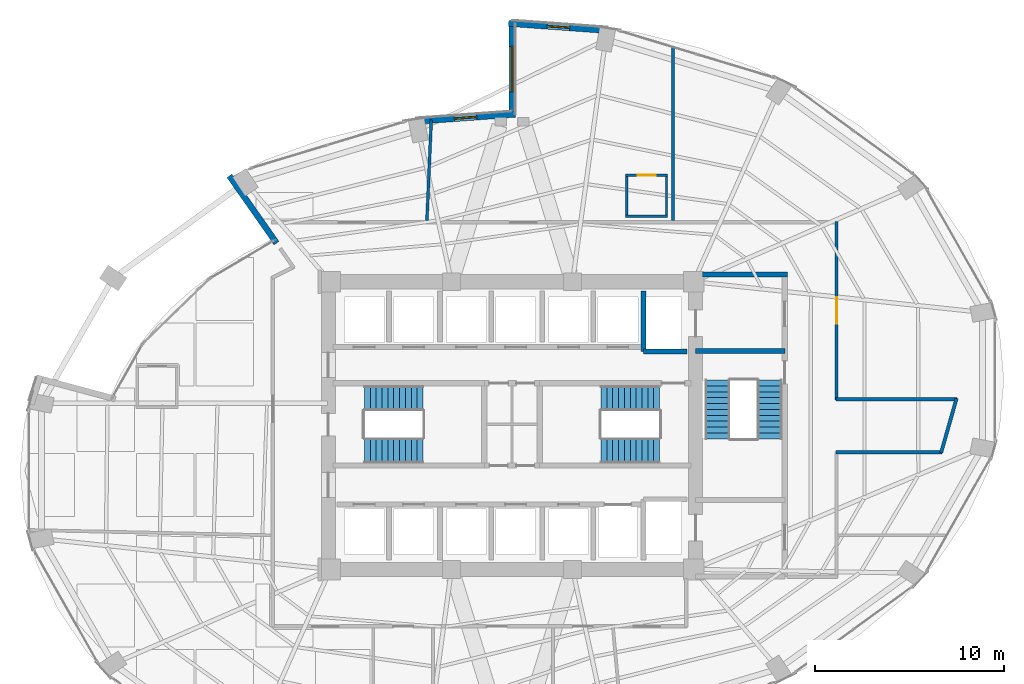
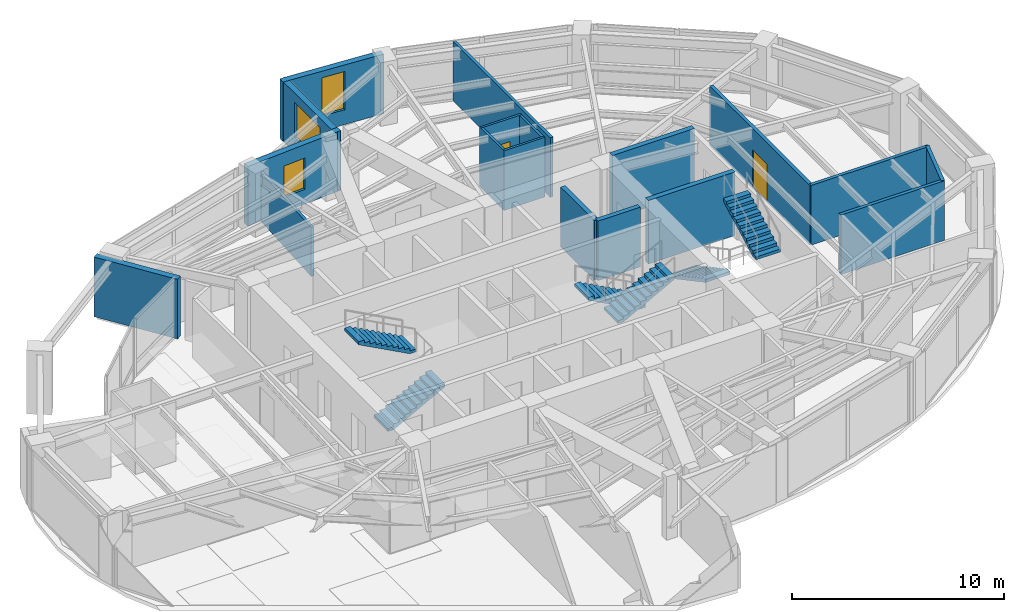
# One storey, part 22 of 24: 18 walls, 6 stair flights, 3 windows, 2 doors, 5 openings, 3 elements without a shape of their own.
"""IFC4 building model written with IfcOpenShell, lengths in metres."""

from ifc_helpers import new_model, si_unit, direction, frame, frame_2d, origin, place, context, subcontext, project, spatial, polyline, rectangle, outline, extrude, material, layer, layer_set, type_object, element, fill, aggregate, save


model = new_model("IFC4")

# Units and contexts
model_context = context("Model", 3, precision=1e-05, world=origin(), true_north=direction((0.0, 1.0)))
body_context = subcontext(model_context, "Body", "Model", "MODEL_VIEW")
ifc_project = project(units=[si_unit("LENGTHUNIT", "METRE"), si_unit("AREAUNIT", "SQUARE_METRE"), si_unit("VOLUMEUNIT", "CUBIC_METRE"), si_unit("PLANEANGLEUNIT", "RADIAN"), si_unit("MASSUNIT", "GRAM", prefix="KILO")], contexts=[model_context])

# Site, building, storey
site_placement = place(None, origin())
site = spatial("IfcSite", under=ifc_project, at=site_placement, CompositionType="ELEMENT")
building_placement = place(site_placement, origin())
building = spatial("IfcBuilding", under=site, at=building_placement, Name="Lazwardi Medical Tower", CompositionType="ELEMENT")
storey_placement = place(building_placement, frame((0.0, 0.0, 114.575927734375)))
storey = spatial("IfcBuildingStorey", under=building, at=storey_placement, Name="L29", CompositionType="ELEMENT", Elevation=114.575927734375)

# Wall, opening, door
ifc_material_1 = material(Name="Fire-rated gypsum board on steel stud", Category="steel")
ifc_layer_1 = layer(ifc_material_1, 0.179931640625)
ifc_layer_set_1 = layer_set([ifc_layer_1], Name="Fire-rated gypsum board on steel stud")
wall_type_1 = type_object("IfcWallType", Name="WL-COR-180", PredefinedType="PARTITIONING", material=ifc_layer_set_1)
wall_1_placement = place(storey_placement, frame((53.14990234375, 38.7900390625, 0.0), z_axis=(0.0, 0.0, 1.0), x_axis=(0.0, -1.0, 0.0)))
wall_1 = element("IfcWall", 1, at=wall_1_placement, inside=storey, type_object=wall_type_1, Name="L29 Corridor partition 5", PredefinedType="PARTITIONING", context=body_context, shape_type="SweptSolid", body=[
    extrude(rectangle(XDim=9.429931640625, YDim=0.179931640625, at=frame_2d((4.71484375, 0.0))), origin(), (0.0, 0.0, 1.0), 3.427978515625),
])
opening_1_placement = place(wall_1_placement, frame((4.014892578125, 0.0, 0.0)))
opening_1 = element("IfcOpeningElement", 2, at=opening_1_placement, cuts=wall_1, Name="Opening D-L29-016", PredefinedType="OPENING", context=body_context, shape_type="SweptSolid", body=[
    extrude(rectangle(XDim=1.39990234375, YDim=2.199951171875, at=frame_2d((0.699951171875, 1.10009765625))), frame((0.0, 0.099853515625, 0.0), z_axis=(0.0, -1.0, 0.0), x_axis=(1.0, 0.0, 0.0)), (0.0, 0.0, 1.0), 0.199951171875),
])
ifc_material_2 = material(Name="Anti-microbial laminate hospital leaf")
door_type_1 = type_object("IfcDoorType", Name="DR-BED-1400", OperationType="NOTDEFINED", PredefinedType="DOOR", material=ifc_material_2)
door_1_placement = place(opening_1_placement, origin())
door_1 = element("IfcDoor", 3, at=door_1_placement, inside=storey, type_object=door_type_1, Name="L29 Inpatient Ward Door 06", OperationType="SINGLE_SWING_LEFT", OverallHeight=2.199951171875, OverallWidth=1.39990234375, PredefinedType="DOOR", context=body_context, shape_type="SweptSolid", body=[
    extrude(rectangle(XDim=1.39990234375, YDim=2.199951171875, at=frame_2d((0.699951171875, 1.10009765625))), frame((0.0, 0.02490234375, 0.0), z_axis=(0.0, -1.0, 0.0), x_axis=(1.0, 0.0, 0.0)), (0.0, 0.0, 1.0), 0.050048828125),
])
fill(opening_1, door_1)

# Walls
wall_2_placement = place(storey_placement, frame((53.110107421875, 29.39990234375, 0.0), z_axis=(0.0, 0.0, 1.0), x_axis=(1.0, 0.0, 0.0)))
element("IfcWall", 4, at=wall_2_placement, inside=storey, type_object=wall_type_1, Name="L29 Corridor partition 6", PredefinedType="PARTITIONING", context=body_context, shape_type="SweptSolid", body=[
    extrude(rectangle(XDim=6.41259765625, YDim=0.179931640625, at=frame_2d((3.206298828125, 0.0))), origin(), (0.0, 0.0, 1.0), 3.427978515625),
])
wall_3_placement = place(storey_placement, frame((59.49365234375, 29.4384765625, 0.0), z_axis=(0.0, 0.0, 1.0), x_axis=(-0.273222154729, -0.961950962453, 0.0)))
element("IfcWall", 5, at=wall_3_placement, inside=storey, type_object=wall_type_1, Name="L29 Corridor partition 7", PredefinedType="PARTITIONING", context=body_context, shape_type="SweptSolid", body=[
    extrude(rectangle(XDim=2.99072265625, YDim=0.179931640625, at=frame_2d((1.495361328125, 0.0))), origin(), (0.0, 0.0, 1.0), 3.427978515625),
])
wall_4_placement = place(storey_placement, frame((58.727294921875, 26.60009765625, 0.0), z_axis=(0.0, 0.0, 1.0), x_axis=(-1.0, 0.0, 0.0)))
element("IfcWall", 6, at=wall_4_placement, inside=storey, type_object=wall_type_1, Name="L29 Corridor partition 8", PredefinedType="PARTITIONING", context=body_context, shape_type="SweptSolid", body=[
    extrude(rectangle(XDim=5.6171875, YDim=0.179931640625, at=frame_2d((2.80859375, 0.0))), origin(), (0.0, 0.0, 1.0), 3.427978515625),
])

# Wall, opening, door
ifc_material_3 = material(Name="Moisture-resistant gypsum board partition")
ifc_layer_2 = layer(ifc_material_3, 0.125)
ifc_layer_set_2 = layer_set([ifc_layer_2], Name="Moisture-resistant gypsum board partition")
wall_type_2 = type_object("IfcWallType", Name="WL-ENS-125", PredefinedType="PARTITIONING", material=ifc_layer_set_2)
wall_5_placement = place(storey_placement, frame((42.0048828125, 41.22509765625, 0.0), z_axis=(0.0, 0.0, 1.0), x_axis=(1.0, 0.0, 0.0)))
wall_5 = element("IfcWall", 7, at=wall_5_placement, inside=storey, type_object=wall_type_2, Name="L29 En-suite wall 7N", PredefinedType="PARTITIONING", context=body_context, shape_type="SweptSolid", body=[
    extrude(rectangle(XDim=2.22021484375, YDim=0.125, at=frame_2d((1.110107421875, 0.0))), origin(), (0.0, 0.0, 1.0), 3.427978515625),
])
opening_2_placement = place(wall_5_placement, frame((0.635009765625, 0.0, 0.0)))
opening_2 = element("IfcOpeningElement", 8, at=opening_2_placement, cuts=wall_5, Name="Opening D-L29-005", PredefinedType="OPENING", context=body_context, shape_type="SweptSolid", body=[
    extrude(rectangle(XDim=0.949951171875, YDim=2.10009765625, at=frame_2d((0.47509765625, 1.050048828125))), frame((0.0, 0.072509765625, 0.0), z_axis=(0.0, -1.0, 0.0), x_axis=(1.0, 0.0, 0.0)), (0.0, 0.0, 1.0), 0.14501953125),
])
ifc_material_4 = material(Name="Moisture-resistant laminate door leaf")
door_type_2 = type_object("IfcDoorType", Name="DR-ENS-950", OperationType="NOTDEFINED", PredefinedType="DOOR", material=ifc_material_4)
door_2_placement = place(opening_2_placement, origin())
door_2 = element("IfcDoor", 9, at=door_2_placement, inside=storey, type_object=door_type_2, Name="L29 En-suite Door 07", OperationType="SINGLE_SWING_RIGHT", OverallHeight=2.10009765625, OverallWidth=0.949951171875, PredefinedType="DOOR", context=body_context, shape_type="SweptSolid", body=[
    extrude(rectangle(XDim=0.949951171875, YDim=2.10009765625, at=frame_2d((0.47509765625, 1.050048828125))), frame((0.0, 0.02490234375, 0.0), z_axis=(0.0, -1.0, 0.0), x_axis=(1.0, 0.0, 0.0)), (0.0, 0.0, 1.0), 0.050048828125),
])
fill(opening_2, door_2)

# Walls
wall_6_placement = place(storey_placement, frame((42.0048828125, 39.06494140625, 0.0), z_axis=(0.0, 0.0, 1.0), x_axis=(1.0, 0.0, 0.0)))
element("IfcWall", 10, at=wall_6_placement, inside=storey, type_object=wall_type_2, Name="L29 En-suite wall 7S", PredefinedType="PARTITIONING", context=body_context, shape_type="SweptSolid", body=[
    extrude(rectangle(XDim=2.22021484375, YDim=0.125, at=frame_2d((1.110107421875, 0.0))), origin(), (0.0, 0.0, 1.0), 3.427978515625),
])
for number, where, z_axis, x_axis, name in (
    (11, (44.1650390625, 39.0048828125, 0.0), (0.0, 0.0, 1.0), (0.0, 1.0, 0.0), "L29 En-suite wall 7E"),
    (12, (42.06494140625, 39.0048828125, 0.0), (0.0, 0.0, 1.0), (0.0, 1.0, 0.0), "L29 En-suite wall 7W"),
):
    element("IfcWall", number, at=place(storey_placement, frame(where, z_axis=z_axis, x_axis=x_axis)), inside=storey, type_object=wall_type_2, Name=name, PredefinedType="PARTITIONING", context=body_context, shape_type="SweptSolid", body=[
        extrude(rectangle(XDim=2.280029296875, YDim=0.125, at=frame_2d((1.14013671875, 0.0))), origin(), (0.0, 0.0, 1.0), 3.427978515625),
    ])

# Wall, opening, window
ifc_material_5 = material(Name="Precast concrete C45/55", Category="concrete")
ifc_layer_3 = layer(ifc_material_5, 0.320068359375)
ifc_layer_set_3 = layer_set([ifc_layer_3], Name="Precast concrete C45/55")
wall_type_3 = type_object("IfcWallType", Name="WL-IWAN-320", PredefinedType="SOLIDWALL", material=ifc_layer_set_3)
wall_7_placement = place(storey_placement, frame((41.091064453125, 48.87451171875, 0.0), z_axis=(0.0, 0.0, 1.0), x_axis=(-0.997432364291, 0.071614793619, 0.0)))
wall_7 = element("IfcWall", 13, at=wall_7_placement, inside=storey, type_object=wall_type_3, Name="L29 Iwan Portal Return Wall NE_ret", PredefinedType="SOLIDWALL", context=body_context, shape_type="SweptSolid", body=[
    extrude(rectangle(XDim=5.2841796875, YDim=0.320068359375, at=frame_2d((2.64208984375, 0.0))), origin(), (0.0, 0.0, 1.0), 3.427978515625),
])
opening_3_placement = place(wall_7_placement, frame((2.0419921875, 0.0, 0.85009765625)))
opening_3 = element("IfcOpeningElement", 14, at=opening_3_placement, cuts=wall_7, Name="Opening WN-01", PredefinedType="OPENING", context=body_context, shape_type="SweptSolid", body=[
    extrude(rectangle(XDim=1.199951171875, YDim=2.199951171875, at=frame_2d((0.60009765625, 1.10009765625))), frame((0.0, 0.169921875, 0.0), z_axis=(0.0, -1.0, 0.0), x_axis=(1.0, 0.0, 0.0)), (0.0, 0.0, 1.0), 0.340087890625),
])
ifc_material_6 = material(Name="Low-e bronze solar control double glazing", Category="glass")
window_type_1 = type_object("IfcWindowType", Name="WIN-IW-1200", PartitioningType="SINGLE_PANEL", PredefinedType="WINDOW", material=ifc_material_6)
window_1_placement = place(opening_3_placement, origin())
window_1 = element("IfcWindow", 15, at=window_1_placement, inside=storey, type_object=window_type_1, Name="L29 Iwan Slot Window NE_ret", OverallHeight=2.199951171875, OverallWidth=1.199951171875, PartitioningType="SINGLE_PANEL", PredefinedType="WINDOW", context=body_context, shape_type="SweptSolid", body=[
    extrude(rectangle(XDim=1.199951171875, YDim=2.199951171875, at=frame_2d((0.60009765625, 1.10009765625))), frame((0.0, 0.030029296875, 0.0), z_axis=(0.0, -1.0, 0.0), x_axis=(1.0, 0.0, 0.0)), (0.0, 0.0, 1.0), 0.06005859375),
])
fill(opening_3, window_1)

wall_8_placement = place(storey_placement, frame((36.178955078125, 44.452880859375, 0.0), z_axis=(0.0, 0.0, 1.0), x_axis=(-0.997431890304, -0.071621394884, 0.0)))
wall_8 = element("IfcWall", 16, at=wall_8_placement, inside=storey, type_object=wall_type_3, Name="L29 Iwan Portal Return Wall NW_ret", PredefinedType="SOLIDWALL", context=body_context, shape_type="SweptSolid", body=[
    extrude(rectangle(XDim=5.28369140625, YDim=0.320068359375, at=frame_2d((2.641845703125, 0.0))), origin(), (0.0, 0.0, 1.0), 3.427978515625),
])
opening_4_placement = place(wall_8_placement, frame((2.041748046875, 0.0, 0.85009765625)))
opening_4 = element("IfcOpeningElement", 17, at=opening_4_placement, cuts=wall_8, Name="Opening WN-04", PredefinedType="OPENING", context=body_context, shape_type="SweptSolid", body=[
    extrude(rectangle(XDim=1.199951171875, YDim=1.800048828125, at=frame_2d((0.60009765625, 0.89990234375))), frame((0.0, 0.169921875, 0.0), z_axis=(0.0, -1.0, 0.0), x_axis=(1.0, 0.0, 0.0)), (0.0, 0.0, 1.0), 0.340087890625),
])
window_type_2 = type_object("IfcWindowType", Name="WIN-DRUM-1200", PartitioningType="SINGLE_PANEL", PredefinedType="WINDOW", material=ifc_material_6)
window_2_placement = place(opening_4_placement, origin())
window_2 = element("IfcWindow", 18, at=window_2_placement, inside=storey, type_object=window_type_2, Name="L29 Iwan Slot Window NW_ret", OverallHeight=1.800048828125, OverallWidth=1.199951171875, PartitioningType="SINGLE_PANEL", PredefinedType="WINDOW", context=body_context, shape_type="SweptSolid", body=[
    extrude(rectangle(XDim=1.199951171875, YDim=1.800048828125, at=frame_2d((0.60009765625, 0.89990234375))), frame((0.0, 0.030029296875, 0.0), z_axis=(0.0, -1.0, 0.0), x_axis=(1.0, 0.0, 0.0)), (0.0, 0.0, 1.0), 0.06005859375),
])
fill(opening_4, window_2)

wall_9_placement = place(storey_placement, frame((36.0, 49.39990234375, 0.0), z_axis=(0.0, 0.0, 1.0), x_axis=(0.0, -1.0, 0.0)))
wall_9 = element("IfcWall", 19, at=wall_9_placement, inside=storey, type_object=wall_type_3, Name="L29 Turquoise Tilework Iwan Seam Wall N_seam", PredefinedType="SOLIDWALL", context=body_context, shape_type="SweptSolid", body=[
    extrude(rectangle(XDim=5.119873046875, YDim=0.320068359375, at=frame_2d((2.56005859375, 0.0))), origin(), (0.0, 0.0, 1.0), 3.427978515625),
])
opening_5_placement = place(wall_9_placement, frame((1.360107421875, 0.0, 0.840087890625)))
opening_5 = element("IfcOpeningElement", 20, at=opening_5_placement, cuts=wall_9, Name="Opening WN-02", PredefinedType="OPENING", context=body_context, shape_type="SweptSolid", body=[
    extrude(rectangle(XDim=2.39990234375, YDim=2.0400390625, at=frame_2d((1.199951171875, 1.02001953125))), frame((0.0, 0.169921875, 0.0), z_axis=(0.0, -1.0, 0.0), x_axis=(1.0, 0.0, 0.0)), (0.0, 0.0, 1.0), 0.340087890625),
])
window_type_3 = type_object("IfcWindowType", Name="WIN-IW-2400", PartitioningType="SINGLE_PANEL", PredefinedType="WINDOW", material=ifc_material_6)
window_3_placement = place(opening_5_placement, origin())
window_3 = element("IfcWindow", 21, at=window_3_placement, inside=storey, type_object=window_type_3, Name="L29 Iwan Seam Window N_seam", OverallHeight=2.0400390625, OverallWidth=2.39990234375, PartitioningType="SINGLE_PANEL", PredefinedType="WINDOW", context=body_context, shape_type="SweptSolid", body=[
    extrude(rectangle(XDim=2.39990234375, YDim=2.0400390625, at=frame_2d((1.199951171875, 1.02001953125))), frame((0.0, 0.030029296875, 0.0), z_axis=(0.0, -1.0, 0.0), x_axis=(1.0, 0.0, 0.0)), (0.0, 0.0, 1.0), 0.06005859375),
])
fill(opening_5, window_3)

# Walls
wall_10_placement = place(storey_placement, frame((21.064208984375, 41.196533203125, 0.0), z_axis=(0.0, 0.0, 1.0), x_axis=(0.573586931721, -0.819144695252, 0.0)))
element("IfcWall", 22, at=wall_10_placement, inside=storey, type_object=wall_type_3, Name="L29 Sky Garden SG2 Flank Wall S0", PredefinedType="SOLIDWALL", context=body_context, shape_type="SweptSolid", body=[
    extrude(rectangle(XDim=4.33984375, YDim=0.320068359375, at=frame_2d((2.169921875, 0.0))), origin(), (0.0, 0.0, 1.0), 3.427978515625),
])
ifc_material_7 = material(Name="Autoclaved aerated concrete blockwork", Category="masonry")
ifc_layer_4 = layer(ifc_material_7, 0.25)
ifc_layer_set_4 = layer_set([ifc_layer_4], Name="Autoclaved aerated concrete blockwork")
wall_type_4 = type_object("IfcWallType", Name="WL-SHAFT-250", PredefinedType="SOLIDWALL", material=ifc_layer_set_4)
wall_11_placement = place(storey_placement, frame((42.949951171875, 31.919921875, 0.0), z_axis=(0.0, 0.0, 1.0), x_axis=(0.0, 1.0, 0.0)))
element("IfcWall", 23, at=wall_11_placement, inside=storey, type_object=wall_type_4, Name="L29 FL-01 West shaft wall", PredefinedType="SOLIDWALL", context=body_context, shape_type="SweptSolid", body=[
    extrude(rectangle(XDim=3.18017578125, YDim=0.25, at=frame_2d((1.590087890625, 0.0))), origin(), (0.0, 0.0, 1.0), 3.427978515625),
])
wall_12_placement = place(storey_placement, frame((42.949951171875, 31.919921875, 0.0), z_axis=(0.0, 0.0, 1.0), x_axis=(1.0, 0.0, 0.0)))
element("IfcWall", 24, at=wall_12_placement, inside=storey, type_object=wall_type_4, Name="L29 FL-01 South shaft wall", PredefinedType="SOLIDWALL", context=body_context, shape_type="SweptSolid", body=[
    extrude(rectangle(XDim=2.300048828125, YDim=0.25, at=frame_2d((1.14990234375, 0.0))), origin(), (0.0, 0.0, 1.0), 3.427978515625),
])
ifc_material_8 = material(Name="Concrete C50/60", Category="concrete")
ifc_layer_5 = layer(ifc_material_8, 0.27001953125)
ifc_layer_set_5 = layer_set([ifc_layer_5], Name="Concrete C50/60")
wall_type_5 = type_object("IfcWallType", Name="WL-STR-250", PredefinedType="SHEAR", material=ifc_layer_set_5)
wall_13_placement = place(storey_placement, frame((46.074951171875, 35.97998046875, 0.0), z_axis=(0.0, 0.0, 1.0), x_axis=(1.0, 0.0, 0.0)))
element("IfcWall", 25, at=wall_13_placement, inside=storey, type_object=wall_type_5, Name="L29 FFL-N North shear wall SW-S1", PredefinedType="SHEAR", context=body_context, shape_type="SweptSolid", body=[
    extrude(rectangle(XDim=4.47509765625, YDim=0.27001953125, at=frame_2d((2.237548828125, 0.0))), origin(), (0.0, 0.0, 1.0), 3.648193359375),
])
wall_14_placement = place(storey_placement, frame((45.699951171875, 31.93505859375, 0.0), z_axis=(0.0, 0.0, 1.0), x_axis=(1.0, 0.0, 0.0)))
element("IfcWall", 26, at=wall_14_placement, inside=storey, type_object=wall_type_5, Name="L29 ST3 North shear shaft wall SW-S1", PredefinedType="SHEAR", context=body_context, shape_type="SweptSolid", body=[
    extrude(rectangle(XDim=4.715087890625, YDim=0.27001953125, at=frame_2d((2.357421875, 0.0))), origin(), (0.0, 0.0, 1.0), 3.648193359375),
])
ifc_material_9 = material(Name="Acoustic gypsum board partition")
ifc_layer_6 = layer(ifc_material_9, 0.14990234375)
ifc_layer_set_6 = layer_set([ifc_layer_6], Name="Acoustic gypsum board partition")
wall_type_6 = type_object("IfcWallType", Name="WL-WRD-150", PredefinedType="PARTITIONING", material=ifc_layer_set_6)
wall_15_placement = place(storey_placement, frame((31.50341796875, 38.83984375, 0.0), z_axis=(0.0, 0.0, 1.0), x_axis=(0.043494903789, 0.999053648882, 0.0)))
element("IfcWall", 27, at=wall_15_placement, inside=storey, type_object=wall_type_6, Name="L29 Room partition 3", PredefinedType="PARTITIONING", context=body_context, shape_type="SweptSolid", body=[
    extrude(rectangle(XDim=5.326904296875, YDim=0.14990234375, at=frame_2d((2.66357421875, 0.0))), origin(), (0.0, 0.0, 1.0), 2.81298828125),
])
wall_16_placement = place(storey_placement, frame((44.5, 38.840087890625, 0.0), z_axis=(0.0, 0.0, 1.0), x_axis=(0.0, 1.0, 0.0)))
element("IfcWall", 28, at=wall_16_placement, inside=storey, type_object=wall_type_6, Name="L29 Room partition 4", PredefinedType="PARTITIONING", context=body_context, shape_type="SweptSolid", body=[
    extrude(rectangle(XDim=9.142578125, YDim=0.14990234375, at=frame_2d((4.5712890625, 0.0))), origin(), (0.0, 0.0, 1.0), 3.427978515625),
])

# Stair, stair flights
ifc_material_10 = material(Name="Concrete C45/55", Category="concrete")
stair_type = type_object("IfcStairType", Name="STR-WRD", PredefinedType="HALF_TURN_STAIR", material=ifc_material_10)
stair_1_placement = place(storey_placement, origin())
stair_1 = element("IfcStair", 29, at=stair_1_placement, inside=storey, type_object=stair_type, Name="L29 Protected Exit Stair ST1", PredefinedType="HALF_TURN_STAIR")
stair_flight_type = type_object("IfcStairFlightType", Name="FLT-WRD", PredefinedType="STRAIGHT", material=ifc_material_10)
stair_flight_1_placement = place(storey_placement, frame((28.199951171875, 26.679931640625, 0.0), z_axis=(0.0, 0.0, 1.0), x_axis=(1.0, 0.0, 0.0)))
stair_flight_1 = element("IfcStairFlight", 30, at=stair_flight_1_placement, type_object=stair_flight_type, Name="ST1 flight 1", NumberOfRisers=11, NumberOfTreads=10, PredefinedType="STRAIGHT", RiserHeight=0.165818182, TreadLength=0.31, context=body_context, shape_type="SweptSolid", body=[
    extrude(outline(polyline([(0.0, 0.0), (0.0, 0.165771484375), (0.31005859375, 0.165771484375), (0.31005859375, 0.33154296875), (0.6201171875, 0.33154296875), (0.6201171875, 0.49755859375), (0.929931640625, 0.49755859375), (0.929931640625, 0.663330078125), (1.239990234375, 0.663330078125), (1.239990234375, 0.8291015625), (1.550048828125, 0.8291015625), (1.550048828125, 0.994873046875), (1.860107421875, 0.994873046875), (1.860107421875, 1.16064453125), (2.169921875, 1.16064453125), (2.169921875, 1.32666015625), (2.47998046875, 1.32666015625), (2.47998046875, 1.492431640625), (2.7900390625, 1.492431640625), (2.7900390625, 1.658203125), (3.10009765625, 1.658203125), (3.10009765625, 1.823974609375), (3.10009765625, 1.48828125), (0.31787109375, 0.0), (0.0, 0.0)])), frame((0.0, 0.66015625, 0.0), z_axis=(0.0, -1.0, 0.0), x_axis=(1.0, 0.0, 0.0)), (0.0, 0.0, 1.0), 1.320068359375),
])
stair_flight_2_placement = place(storey_placement, frame((31.300048828125, 29.43994140625, 1.823974609375), z_axis=(0.0, 0.0, 1.0), x_axis=(-1.0, 0.0, 0.0)))
stair_flight_2 = element("IfcStairFlight", 31, at=stair_flight_2_placement, type_object=stair_flight_type, Name="ST1 flight 2", NumberOfRisers=11, NumberOfTreads=10, PredefinedType="STRAIGHT", RiserHeight=0.165818182, TreadLength=0.31, context=body_context, shape_type="SweptSolid", body=[
    extrude(outline(polyline([(0.0, 0.0), (0.0, 0.165771484375), (0.31005859375, 0.165771484375), (0.31005859375, 0.33154296875), (0.6201171875, 0.33154296875), (0.6201171875, 0.49755859375), (0.929931640625, 0.49755859375), (0.929931640625, 0.663330078125), (1.239990234375, 0.663330078125), (1.239990234375, 0.8291015625), (1.550048828125, 0.8291015625), (1.550048828125, 0.994873046875), (1.860107421875, 0.994873046875), (1.860107421875, 1.16064453125), (2.169921875, 1.16064453125), (2.169921875, 1.32666015625), (2.47998046875, 1.32666015625), (2.47998046875, 1.492431640625), (2.7900390625, 1.492431640625), (2.7900390625, 1.658203125), (3.10009765625, 1.658203125), (3.10009765625, 1.823974609375), (3.10009765625, 1.48828125), (0.31787109375, 0.0), (0.0, 0.0)])), frame((0.0, 0.66015625, 0.0), z_axis=(0.0, -1.0, 0.0), x_axis=(1.0, 0.0, 0.0)), (0.0, 0.0, 1.0), 1.320068359375),
])
aggregate(stair_1, [stair_flight_1, stair_flight_2])

stair_2_placement = place(storey_placement, origin())
stair_2 = element("IfcStair", 32, at=stair_2_placement, inside=storey, type_object=stair_type, Name="L29 Protected Exit Stair ST2", PredefinedType="HALF_TURN_STAIR")
stair_flight_3_placement = place(storey_placement, frame((43.800048828125, 29.43994140625, 0.0), z_axis=(0.0, 0.0, 1.0), x_axis=(-1.0, 0.0, 0.0)))
stair_flight_3 = element("IfcStairFlight", 33, at=stair_flight_3_placement, type_object=stair_flight_type, Name="ST2 flight 1", NumberOfRisers=11, NumberOfTreads=10, PredefinedType="STRAIGHT", RiserHeight=0.165818182, TreadLength=0.31, context=body_context, shape_type="SweptSolid", body=[
    extrude(outline(polyline([(0.0, 0.0), (0.0, 0.165771484375), (0.31005859375, 0.165771484375), (0.31005859375, 0.33154296875), (0.6201171875, 0.33154296875), (0.6201171875, 0.49755859375), (0.929931640625, 0.49755859375), (0.929931640625, 0.663330078125), (1.239990234375, 0.663330078125), (1.239990234375, 0.8291015625), (1.550048828125, 0.8291015625), (1.550048828125, 0.994873046875), (1.860107421875, 0.994873046875), (1.860107421875, 1.16064453125), (2.169921875, 1.16064453125), (2.169921875, 1.32666015625), (2.47998046875, 1.32666015625), (2.47998046875, 1.492431640625), (2.7900390625, 1.492431640625), (2.7900390625, 1.658203125), (3.10009765625, 1.658203125), (3.10009765625, 1.823974609375), (3.10009765625, 1.48828125), (0.31787109375, 0.0), (0.0, 0.0)])), frame((0.0, 0.66015625, 0.0), z_axis=(0.0, -1.0, 0.0), x_axis=(1.0, 0.0, 0.0)), (0.0, 0.0, 1.0), 1.320068359375),
])
stair_flight_4_placement = place(storey_placement, frame((40.699951171875, 26.679931640625, 1.823974609375), z_axis=(0.0, 0.0, 1.0), x_axis=(1.0, 0.0, 0.0)))
stair_flight_4 = element("IfcStairFlight", 34, at=stair_flight_4_placement, type_object=stair_flight_type, Name="ST2 flight 2", NumberOfRisers=11, NumberOfTreads=10, PredefinedType="STRAIGHT", RiserHeight=0.165818182, TreadLength=0.31, context=body_context, shape_type="SweptSolid", body=[
    extrude(outline(polyline([(0.0, 0.0), (0.0, 0.165771484375), (0.31005859375, 0.165771484375), (0.31005859375, 0.33154296875), (0.6201171875, 0.33154296875), (0.6201171875, 0.49755859375), (0.929931640625, 0.49755859375), (0.929931640625, 0.663330078125), (1.239990234375, 0.663330078125), (1.239990234375, 0.8291015625), (1.550048828125, 0.8291015625), (1.550048828125, 0.994873046875), (1.860107421875, 0.994873046875), (1.860107421875, 1.16064453125), (2.169921875, 1.16064453125), (2.169921875, 1.32666015625), (2.47998046875, 1.32666015625), (2.47998046875, 1.492431640625), (2.7900390625, 1.492431640625), (2.7900390625, 1.658203125), (3.10009765625, 1.658203125), (3.10009765625, 1.823974609375), (3.10009765625, 1.48828125), (0.31787109375, 0.0), (0.0, 0.0)])), frame((0.0, 0.66015625, 0.0), z_axis=(0.0, -1.0, 0.0), x_axis=(1.0, 0.0, 0.0)), (0.0, 0.0, 1.0), 1.320068359375),
])
aggregate(stair_2, [stair_flight_3, stair_flight_4])

stair_3_placement = place(storey_placement, origin())
stair_3 = element("IfcStair", 35, at=stair_3_placement, inside=storey, type_object=stair_type, Name="L29 Protected Exit Stair ST3", PredefinedType="HALF_TURN_STAIR")
stair_flight_5_placement = place(storey_placement, frame((46.860107421875, 30.39990234375, 0.0), z_axis=(0.0, 0.0, 1.0), x_axis=(0.0, -1.0, 0.0)))
stair_flight_5 = element("IfcStairFlight", 36, at=stair_flight_5_placement, type_object=stair_flight_type, Name="ST3 flight 1", NumberOfRisers=11, NumberOfTreads=10, PredefinedType="STRAIGHT", RiserHeight=0.165818182, TreadLength=0.31, context=body_context, shape_type="SweptSolid", body=[
    extrude(outline(polyline([(0.0, 0.0), (0.0, 0.165771484375), (0.31005859375, 0.165771484375), (0.31005859375, 0.33154296875), (0.6201171875, 0.33154296875), (0.6201171875, 0.49755859375), (0.929931640625, 0.49755859375), (0.929931640625, 0.663330078125), (1.239990234375, 0.663330078125), (1.239990234375, 0.8291015625), (1.550048828125, 0.8291015625), (1.550048828125, 0.994873046875), (1.860107421875, 0.994873046875), (1.860107421875, 1.16064453125), (2.169921875, 1.16064453125), (2.169921875, 1.32666015625), (2.47998046875, 1.32666015625), (2.47998046875, 1.492431640625), (2.7900390625, 1.492431640625), (2.7900390625, 1.658203125), (3.10009765625, 1.658203125), (3.10009765625, 1.823974609375), (3.10009765625, 1.48828125), (0.31787109375, 0.0), (0.0, 0.0)])), frame((0.0, 0.66015625, 0.0), z_axis=(0.0, -1.0, 0.0), x_axis=(1.0, 0.0, 0.0)), (0.0, 0.0, 1.0), 1.320068359375),
])
stair_flight_6_placement = place(storey_placement, frame((49.6201171875, 27.300048828125, 1.823974609375), z_axis=(0.0, 0.0, 1.0), x_axis=(0.0, 1.0, 0.0)))
stair_flight_6 = element("IfcStairFlight", 37, at=stair_flight_6_placement, type_object=stair_flight_type, Name="ST3 flight 2", NumberOfRisers=11, NumberOfTreads=10, PredefinedType="STRAIGHT", RiserHeight=0.165818182, TreadLength=0.31, context=body_context, shape_type="SweptSolid", body=[
    extrude(outline(polyline([(0.0, 0.0), (0.0, 0.165771484375), (0.31005859375, 0.165771484375), (0.31005859375, 0.33154296875), (0.6201171875, 0.33154296875), (0.6201171875, 0.49755859375), (0.929931640625, 0.49755859375), (0.929931640625, 0.663330078125), (1.239990234375, 0.663330078125), (1.239990234375, 0.8291015625), (1.550048828125, 0.8291015625), (1.550048828125, 0.994873046875), (1.860107421875, 0.994873046875), (1.860107421875, 1.16064453125), (2.169921875, 1.16064453125), (2.169921875, 1.32666015625), (2.47998046875, 1.32666015625), (2.47998046875, 1.492431640625), (2.7900390625, 1.492431640625), (2.7900390625, 1.658203125), (3.10009765625, 1.658203125), (3.10009765625, 1.823974609375), (3.10009765625, 1.48828125), (0.31787109375, 0.0), (0.0, 0.0)])), frame((0.0, 0.66015625, 0.0), z_axis=(0.0, -1.0, 0.0), x_axis=(1.0, 0.0, 0.0)), (0.0, 0.0, 1.0), 1.320068359375),
])
aggregate(stair_3, [stair_flight_5, stair_flight_6])

save(model, "model.ifc")
